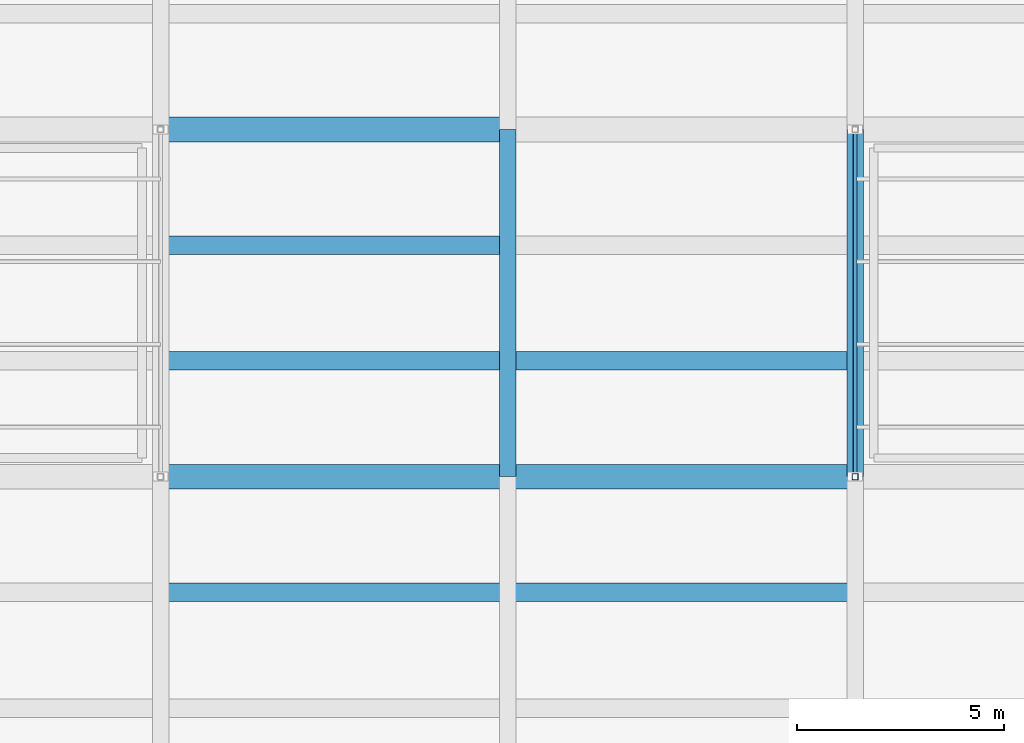
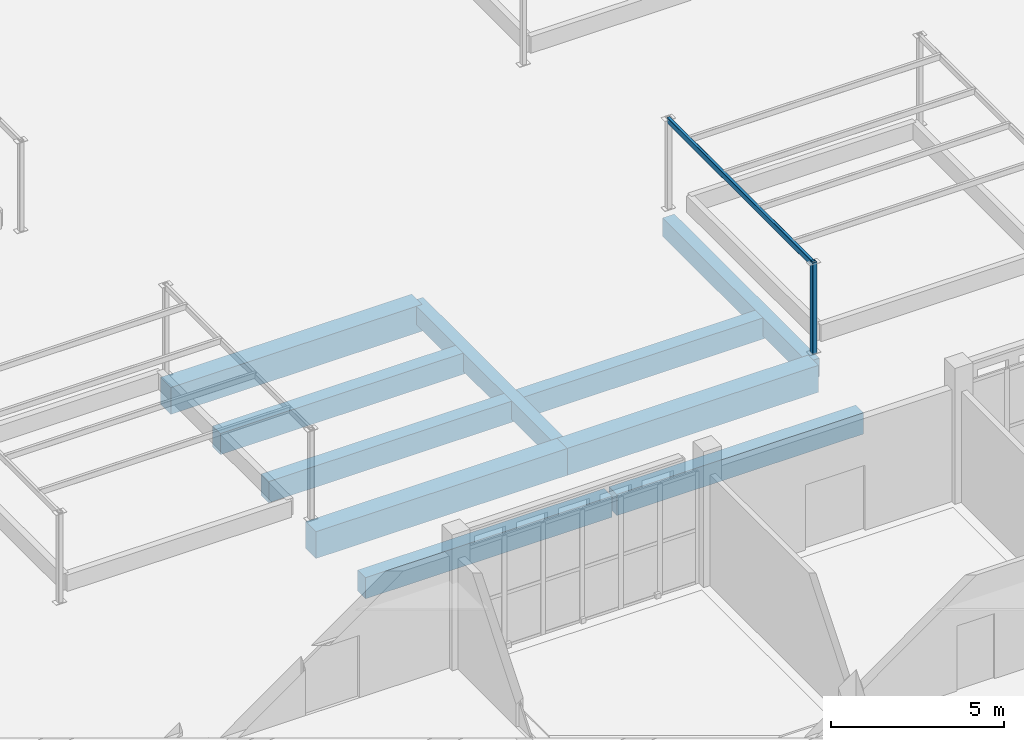
# One storey, part 13 of 129: 10 beams, 2 members.
"""IFC4 building model written with IfcOpenShell, lengths in metres."""

from ifc_helpers import new_model, si_unit, direction, frame, origin, origin_2d, place, context, subcontext, project, spatial, rectangle, hollow_rectangle, extrude, material, material_profile, profile_set, type_object, element, save


model = new_model("IFC4")

# Units and contexts
model_context = context("Model", 3, precision=1e-05, world=origin(), true_north=direction((0.0, 1.0)))
body_context = subcontext(model_context, "Body", "Model", "MODEL_VIEW")
ifc_project = project(units=[si_unit("LENGTHUNIT", "METRE"), si_unit("AREAUNIT", "SQUARE_METRE"), si_unit("VOLUMEUNIT", "CUBIC_METRE"), si_unit("PLANEANGLEUNIT", "RADIAN"), si_unit("MASSUNIT", "GRAM", prefix="KILO")], contexts=[model_context])

# Site, building, storey
site_placement = place(None, origin())
site = spatial("IfcSite", under=ifc_project, at=site_placement, CompositionType="ELEMENT")
building_placement = place(site_placement, origin())
building = spatial("IfcBuilding", under=site, at=building_placement, Name="Varnapada Polytechnic", CompositionType="ELEMENT")
storey_placement = place(building_placement, origin())
storey = spatial("IfcBuildingStorey", under=building, at=storey_placement, Name="L00", CompositionType="ELEMENT", Elevation=0.0)

# Beams
ifc_material_1 = material(Name="Concrete C40/50", Category="concrete")
ifc_material_profile_1 = material_profile(ifc_material_1, rectangle(XDim=0.449951171875, YDim=0.75, at=origin_2d()), Name="RC 450x750")
ifc_profile_set_1 = profile_set([ifc_material_profile_1], Name="Concrete C40/50")
beam_type_1 = type_object("IfcBeamType", Name="Basement/podium secondary beam BB-01 (RC 450x750)", PredefinedType="BEAM", material=ifc_profile_set_1)
for number, where, z_axis, x_axis, name in (
    (1, (75.679931640625, 47.60009765625, -0.655029296875), (1.0, 0.0, 0.0), (0.0, 1.0, 0.0), "L00 floor joist 10/6.2"),
    (2, (75.679931640625, 53.199951171875, -0.655029296875), (1.0, 0.0, 0.0), (0.0, 1.0, 0.0), "L00 floor joist 10/7.1"),
    (3, (75.679931640625, 56.0, -0.655029296875), (1.0, 0.0, 0.0), (0.0, 1.0, 0.0), "L00 floor joist 10/7.2"),
    (4, (84.080078125, 47.60009765625, -0.655029296875), (1.0, 0.0, 0.0), (0.0, 1.0, 0.0), "L00 floor joist 11/6.2"),
    (5, (84.080078125, 53.199951171875, -0.655029296875), (1.0, 0.0, 0.0), (0.0, 1.0, 0.0), "L00 floor joist 11/7.1"),
):
    element("IfcBeam", number, at=place(storey_placement, frame(where, z_axis=z_axis, x_axis=x_axis)), inside=storey, type_object=beam_type_1, Name=name, PredefinedType="BEAM", context=body_context, shape_type="SweptSolid", body=[
        extrude(rectangle(XDim=0.449951171875, YDim=0.75, at=origin_2d()), origin(), (0.0, 0.0, 1.0), 8.239990234375),
    ])

# Member
ifc_material_2 = material(Name="Steel S355", Category="steel")
ifc_material_profile_2 = material_profile(ifc_material_2, hollow_rectangle(XDim=0.10009765625, YDim=0.199951171875, WallThickness=0.00634765625, InnerFilletRadius=0.006103515625, OuterFilletRadius=0.011962890625, at=origin_2d()), Name="RHS 200x100x6.3")
ifc_profile_set_2 = profile_set([ifc_material_profile_2], Name="Steel S355")
member_type_1 = type_object("IfcMemberType", Name="Gable and library roof steel purlin PR-01 (RHS 200x100x6.3)", PredefinedType="PURLIN", material=ifc_profile_set_2)
member_1_placement = place(storey_placement, frame((92.39990234375, 50.39990234375, 3.1201171875), z_axis=(0.0, 1.0, 0.0), x_axis=(-1.0, 0.0, 0.0)))
element("IfcMember", 6, at=member_1_placement, inside=storey, type_object=member_type_1, Name="Courtyard planted garden pergola girder CT-BED-2.1", PredefinedType="PURLIN", context=body_context, shape_type="SweptSolid", body=[
    extrude(hollow_rectangle(XDim=0.10009765625, YDim=0.199951171875, WallThickness=0.00634765625, InnerFilletRadius=0.006103515625, OuterFilletRadius=0.011962890625, at=origin_2d()), origin(), (0.0, 0.0, 1.0), 8.400146484375),
])

# Beams
ifc_material_profile_3 = material_profile(ifc_material_1, rectangle(XDim=0.39990234375, YDim=0.64990234375, at=origin_2d()), Name="RC 400x650")
ifc_profile_set_3 = profile_set([ifc_material_profile_3], Name="Concrete C40/50")
beam_type_2 = type_object("IfcBeamType", Name="Podium framing beam BB-02 (RC 400x650)", PredefinedType="BEAM", material=ifc_profile_set_3)
for number, where, z_axis, x_axis, name in (
    (7, (84.0, 50.39990234375, -0.60498046875), (0.0, 1.0, 0.0), (-1.0, 0.0, 0.0), "L00 beam Y 7-8 at X11"),
    (8, (92.39990234375, 50.39990234375, -0.60498046875), (0.0, 1.0, 0.0), (-1.0, 0.0, 0.0), "L00 beam Y 7-8 at X12"),
):
    element("IfcBeam", number, at=place(storey_placement, frame(where, z_axis=z_axis, x_axis=x_axis)), inside=storey, type_object=beam_type_2, Name=name, PredefinedType="BEAM", context=body_context, shape_type="SweptSolid", body=[
        extrude(rectangle(XDim=0.39990234375, YDim=0.64990234375, at=origin_2d()), origin(), (0.0, 0.0, 1.0), 8.400146484375),
    ])

# Member
ifc_material_profile_4 = material_profile(ifc_material_2, hollow_rectangle(XDim=0.14990234375, YDim=0.14990234375, WallThickness=0.00634765625, InnerFilletRadius=0.006103515625, OuterFilletRadius=0.011962890625, at=origin_2d()), Name="SHS 150x150x6.3")
ifc_profile_set_4 = profile_set([ifc_material_profile_4], Name="Steel S355")
member_type_2 = type_object("IfcMemberType", Name="Sawtooth north-light mullion post SFP-02 (SHS 150x150x6.3)", PredefinedType="POST", material=ifc_profile_set_4)
member_2_placement = place(storey_placement, frame((92.39990234375, 50.39990234375, -0.02001953125), z_axis=(0.0, 0.0, 1.0), x_axis=(1.0, 0.0, 0.0)))
element("IfcMember", 9, at=member_2_placement, inside=storey, type_object=member_type_2, Name="Courtyard planted garden trellis post CT-BED-2.1.1", PredefinedType="POST", context=body_context, shape_type="SweptSolid", body=[
    extrude(hollow_rectangle(XDim=0.14990234375, YDim=0.14990234375, WallThickness=0.00634765625, InnerFilletRadius=0.006103515625, OuterFilletRadius=0.011962890625, at=origin_2d()), origin(), (0.0, 0.0, 1.0), 3.239990234375),
])

# Beams
ifc_material_profile_5 = material_profile(ifc_material_1, rectangle(XDim=0.60009765625, YDim=0.949951171875, at=origin_2d()), Name="RC 600x950")
ifc_profile_set_5 = profile_set([ifc_material_profile_5], Name="Concrete C40/50")
beam_type_3 = type_object("IfcBeamType", Name="Workshop podium heavy girder BG-03 (RC 600x950)", PredefinedType="T_BEAM", material=ifc_profile_set_5)
for number, where, z_axis, x_axis, name in (
    (10, (75.60009765625, 50.39990234375, -0.7548828125), (1.0, 0.0, 0.0), (0.0, 1.0, 0.0), "L00 beam X 10-11 at Y7"),
    (11, (75.60009765625, 58.800048828125, -0.7548828125), (1.0, 0.0, 0.0), (0.0, 1.0, 0.0), "L00 beam X 10-11 at Y8"),
    (12, (84.0, 50.39990234375, -0.7548828125), (1.0, 0.0, 0.0), (0.0, 1.0, 0.0), "L00 beam X 11-12 at Y7"),
):
    element("IfcBeam", number, at=place(storey_placement, frame(where, z_axis=z_axis, x_axis=x_axis)), inside=storey, type_object=beam_type_3, Name=name, PredefinedType="T_BEAM", context=body_context, shape_type="SweptSolid", body=[
        extrude(rectangle(XDim=0.60009765625, YDim=0.949951171875, at=origin_2d()), origin(), (0.0, 0.0, 1.0), 8.39990234375),
    ])

save(model, "model.ifc")
